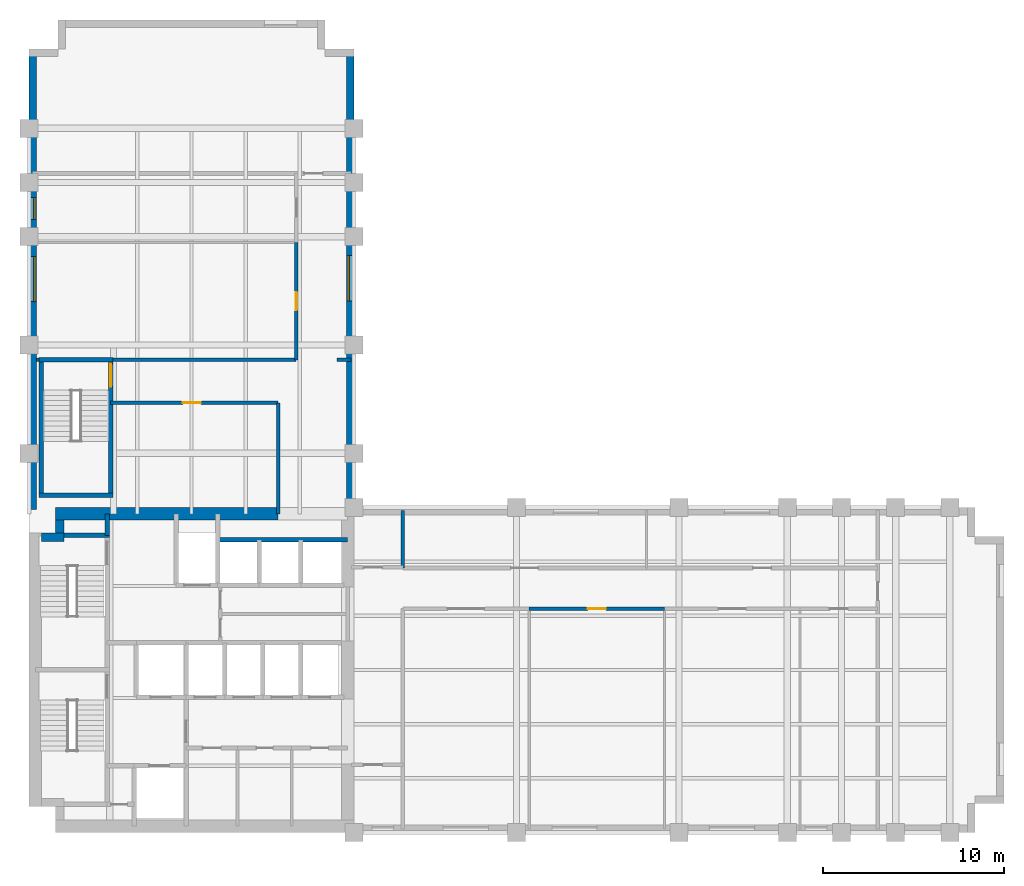
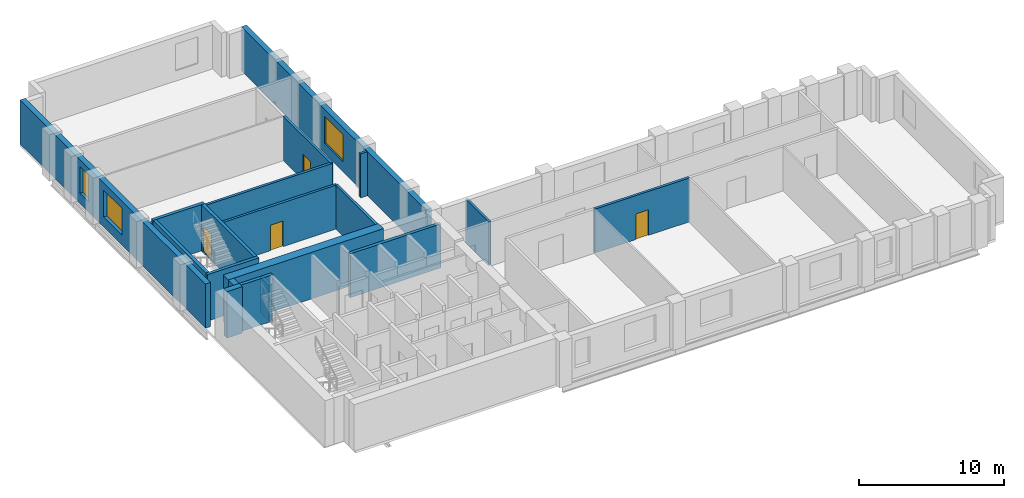
# One storey, part 4 of 7: 20 walls, 4 doors, 3 windows, 7 openings.
"""IFC4 building model written with IfcOpenShell, lengths in metres."""

from ifc_helpers import new_model, si_unit, direction, frame, frame_2d, origin, place, context, subcontext, project, spatial, rectangle, extrude, material, layer, layer_set, type_object, element, fill, save


model = new_model("IFC4")

# Units and contexts
model_context = context("Model", 3, precision=1e-05, world=origin(), true_north=direction((0.0, 1.0)))
body_context = subcontext(model_context, "Body", "Model", "MODEL_VIEW")
ifc_project = project(units=[si_unit("LENGTHUNIT", "METRE"), si_unit("AREAUNIT", "SQUARE_METRE"), si_unit("VOLUMEUNIT", "CUBIC_METRE"), si_unit("PLANEANGLEUNIT", "RADIAN"), si_unit("MASSUNIT", "GRAM", prefix="KILO")], contexts=[model_context])

# Site, building, storey
site_placement = place(None, origin())
site = spatial("IfcSite", under=ifc_project, at=site_placement, CompositionType="ELEMENT")
building_placement = place(site_placement, origin())
building = spatial("IfcBuilding", under=site, at=building_placement, Name="Mawjdan Bourse Tower", CompositionType="ELEMENT")
storey_placement = place(building_placement, frame((0.0, 0.0, 136.199951171875)))
storey = spatial("IfcBuildingStorey", under=building, at=storey_placement, Name="L32", CompositionType="ELEMENT", Elevation=136.199951171875)

# Wall, opening, window
ifc_material_1 = material(Name="Brick Masonry Buff", Category="masonry")
ifc_layer_1 = layer(ifc_material_1, 0.419921875)
ifc_layer_set_1 = layer_set([ifc_layer_1], Name="Brick Masonry Buff")
wall_type_1 = type_object("IfcWallType", Name="WL-BRK-BUFF-420", PredefinedType="STANDARD", material=ifc_layer_set_1)
wall_1_placement = place(storey_placement, frame((23.7900390625, 21.0, 0.0), z_axis=(0.0, 0.0, 1.0), x_axis=(0.0, 1.0, 0.0)))
wall_1 = element("IfcWall", 1, at=wall_1_placement, inside=storey, type_object=wall_type_1, Name="L32 Exterior Brick Wall 8", PredefinedType="STANDARD", context=body_context, shape_type="SweptSolid", body=[
    extrude(rectangle(XDim=25.39990234375, YDim=0.419921875, at=frame_2d((12.699951171875, 0.0))), origin(), (0.0, 0.0, 1.0), 3.699951171875),
])
opening_1_placement = place(wall_1_placement, frame((11.449951171875, 0.0, 0.85009765625)))
opening_1 = element("IfcOpeningElement", 2, at=opening_1_placement, cuts=wall_1, Name="Opening W-L32-05", PredefinedType="OPENING", context=body_context, shape_type="SweptSolid", body=[
    extrude(rectangle(XDim=2.5, YDim=2.25, at=frame_2d((1.25, 1.125))), frame((0.0, 0.219970703125, 0.0), z_axis=(0.0, -1.0, 0.0), x_axis=(1.0, 0.0, 0.0)), (0.0, 0.0, 1.0), 0.43994140625),
])
ifc_material_2 = material(Name="Solar-Control Clear Double Glazing", Category="glass")
window_type_1 = type_object("IfcWindowType", Name="WN-Z2-2500", PartitioningType="SINGLE_PANEL", PredefinedType="WINDOW", material=ifc_material_2)
window_1_placement = place(opening_1_placement, origin())
window_1 = element("IfcWindow", 3, at=window_1_placement, inside=storey, type_object=window_type_1, Name="L32 Deep-Set Masonry Window W-L32-05", OverallHeight=2.25, OverallWidth=2.5, PartitioningType="SINGLE_PANEL", PredefinedType="WINDOW", context=body_context, shape_type="SweptSolid", body=[
    extrude(rectangle(XDim=2.5, YDim=2.25, at=frame_2d((1.25, 1.125))), frame((0.0, 0.110107421875, 0.0), z_axis=(0.0, -1.0, 0.0), x_axis=(1.0, 0.0, 0.0)), (0.0, 0.0, 1.0), 0.06005859375),
])
fill(opening_1, window_1)

# Wall, openings, windows
wall_2_placement = place(storey_placement, frame((6.2099609375, 46.39990234375, 0.0), z_axis=(0.0, 0.0, 1.0), x_axis=(0.0, -1.0, 0.0)))
wall_2 = element("IfcWall", 4, at=wall_2_placement, inside=storey, type_object=wall_type_1, Name="L32 Exterior Brick Wall 14", PredefinedType="STANDARD", context=body_context, shape_type="SweptSolid", body=[
    extrude(rectangle(XDim=25.5, YDim=0.419921875, at=frame_2d((12.75, 0.0))), origin(), (0.0, 0.0, 1.0), 3.699951171875),
])
opening_2_placement = place(wall_2_placement, frame((11.5, 0.0, 0.85009765625)))
opening_2 = element("IfcOpeningElement", 5, at=opening_2_placement, cuts=wall_2, Name="Opening W-L32-07", PredefinedType="OPENING", context=body_context, shape_type="SweptSolid", body=[
    extrude(rectangle(XDim=2.5, YDim=2.25, at=frame_2d((1.25, 1.125))), frame((0.0, 0.219970703125, 0.0), z_axis=(0.0, -1.0, 0.0), x_axis=(1.0, 0.0, 0.0)), (0.0, 0.0, 1.0), 0.43994140625),
])
opening_3_placement = place(wall_2_placement, frame((8.236083984375, 0.0, 0.85009765625)))
opening_3 = element("IfcOpeningElement", 6, at=opening_3_placement, cuts=wall_2, Name="Opening W-L32-13", PredefinedType="OPENING", context=body_context, shape_type="SweptSolid", body=[
    extrude(rectangle(XDim=1.199951171875, YDim=2.25, at=frame_2d((0.60009765625, 1.125))), frame((0.0, 0.219970703125, 0.0), z_axis=(0.0, -1.0, 0.0), x_axis=(1.0, 0.0, 0.0)), (0.0, 0.0, 1.0), 0.43994140625),
])
window_type_2 = type_object("IfcWindowType", Name="WN-Z2-1200", PartitioningType="SINGLE_PANEL", PredefinedType="WINDOW", material=ifc_material_2)
window_2_placement = place(opening_3_placement, origin())
window_2 = element("IfcWindow", 7, at=window_2_placement, inside=storey, type_object=window_type_2, Name="L32 Deep-Set Masonry Window W-L32-13", OverallHeight=2.25, OverallWidth=1.199951171875, PartitioningType="SINGLE_PANEL", PredefinedType="WINDOW", context=body_context, shape_type="SweptSolid", body=[
    extrude(rectangle(XDim=1.199951171875, YDim=2.25, at=frame_2d((0.60009765625, 1.125))), frame((0.0, 0.110107421875, 0.0), z_axis=(0.0, -1.0, 0.0), x_axis=(1.0, 0.0, 0.0)), (0.0, 0.0, 1.0), 0.06005859375),
])
fill(opening_3, window_2)
window_3_placement = place(opening_2_placement, origin())
window_3 = element("IfcWindow", 8, at=window_3_placement, inside=storey, type_object=window_type_1, Name="L32 Deep-Set Masonry Window W-L32-07", OverallHeight=2.25, OverallWidth=2.5, PartitioningType="SINGLE_PANEL", PredefinedType="WINDOW", context=body_context, shape_type="SweptSolid", body=[
    extrude(rectangle(XDim=2.5, YDim=2.25, at=frame_2d((1.25, 1.125))), frame((0.0, 0.110107421875, 0.0), z_axis=(0.0, -1.0, 0.0), x_axis=(1.0, 0.0, 0.0)), (0.0, 0.0, 1.0), 0.06005859375),
])
fill(opening_2, window_3)

# Wall
ifc_material_3 = material(Name="Gypsum Fireboard Assembly")
ifc_layer_2 = layer(ifc_material_3, 0.199951171875)
ifc_layer_set_2 = layer_set([ifc_layer_2], Name="Gypsum Fireboard Assembly")
wall_type_2 = type_object("IfcWallType", Name="WL-CMP-200", PredefinedType="PARTITIONING", material=ifc_layer_set_2)
wall_3_placement = place(storey_placement, frame((26.699951171875, 17.64990234375, 0.0), z_axis=(0.0, 0.0, 1.0), x_axis=(0.0, 1.0, 0.0)))
element("IfcWall", 9, at=wall_3_placement, inside=storey, type_object=wall_type_2, Name="L32 Vestibule North East Wall", PredefinedType="PARTITIONING", context=body_context, shape_type="SweptSolid", body=[
    extrude(rectangle(XDim=3.170166015625, YDim=0.199951171875, at=frame_2d((1.5849609375, 0.0))), origin(), (0.0, 0.0, 1.0), 3.68994140625),
])

# Wall, opening, door
wall_4_placement = place(storey_placement, frame((33.699951171875, 15.39990234375, 0.0), z_axis=(0.0, 0.0, 1.0), x_axis=(1.0, 0.0, 0.0)))
wall_4 = element("IfcWall", 10, at=wall_4_placement, inside=storey, type_object=wall_type_2, Name="L32 Executive Office Corridor Wall", PredefinedType="PARTITIONING", context=body_context, shape_type="SweptSolid", body=[
    extrude(rectangle(XDim=7.5, YDim=0.199951171875, at=frame_2d((3.75, 0.0))), origin(), (0.0, 0.0, 1.0), 3.68994140625),
])
opening_4_placement = place(wall_4_placement, frame((3.25, 0.0, 0.0)))
opening_4 = element("IfcOpeningElement", 11, at=opening_4_placement, cuts=wall_4, Name="Opening D-L32-23", PredefinedType="OPENING", context=body_context, shape_type="SweptSolid", body=[
    extrude(rectangle(XDim=1.0, YDim=2.14990234375, at=frame_2d((0.5, 1.074951171875))), frame((0.0, 0.10986328125, 0.0), z_axis=(0.0, -1.0, 0.0), x_axis=(1.0, 0.0, 0.0)), (0.0, 0.0, 1.0), 0.219970703125),
])
ifc_material_4 = material(Name="Hardwood Acoustic Leaf", Category="wood")
door_type_1 = type_object("IfcDoorType", Name="DR-OFC-1000", OperationType="NOTDEFINED", PredefinedType="DOOR", material=ifc_material_4)
door_1_placement = place(opening_4_placement, origin())
door_1 = element("IfcDoor", 12, at=door_1_placement, inside=storey, type_object=door_type_1, Name="L32 Executive Office Door D-L32-23", OperationType="SINGLE_SWING_LEFT", OverallHeight=2.14990234375, OverallWidth=1.0, PredefinedType="DOOR", context=body_context, shape_type="SweptSolid", body=[
    extrude(rectangle(XDim=1.0, YDim=2.14990234375, at=frame_2d((0.5, 1.074951171875))), frame((0.0, 0.02490234375, 0.0), z_axis=(0.0, -1.0, 0.0), x_axis=(1.0, 0.0, 0.0)), (0.0, 0.0, 1.0), 0.050048828125),
])
fill(opening_4, door_1)

wall_5_placement = place(storey_placement, frame((10.52001953125, 26.800048828125, 0.0), z_axis=(0.0, 0.0, 1.0), x_axis=(1.0, 0.0, 0.0)))
wall_5 = element("IfcWall", 13, at=wall_5_placement, inside=storey, type_object=wall_type_2, Name="L32 North Throat North Wall", PredefinedType="PARTITIONING", context=body_context, shape_type="SweptSolid", body=[
    extrude(rectangle(XDim=9.280029296875, YDim=0.199951171875, at=frame_2d((4.64013671875, 0.0))), origin(), (0.0, 0.0, 1.0), 3.68994140625),
])
opening_5_placement = place(wall_5_placement, frame((4.0, 0.0, 0.0)))
opening_5 = element("IfcOpeningElement", 14, at=opening_5_placement, cuts=wall_5, Name="Opening D-L32-29", PredefinedType="OPENING", context=body_context, shape_type="SweptSolid", body=[
    extrude(rectangle(XDim=1.0, YDim=2.14990234375, at=frame_2d((0.5, 1.074951171875))), frame((0.0, 0.10986328125, 0.0), z_axis=(0.0, -1.0, 0.0), x_axis=(1.0, 0.0, 0.0)), (0.0, 0.0, 1.0), 0.219970703125),
])
door_2_placement = place(opening_5_placement, origin())
door_2 = element("IfcDoor", 15, at=door_2_placement, inside=storey, type_object=door_type_1, Name="L32 North Throat Suite Door D-L32-29", OperationType="SINGLE_SWING_LEFT", OverallHeight=2.14990234375, OverallWidth=1.0, PredefinedType="DOOR", context=body_context, shape_type="SweptSolid", body=[
    extrude(rectangle(XDim=1.0, YDim=2.14990234375, at=frame_2d((0.5, 1.074951171875))), frame((0.0, 0.02490234375, 0.0), z_axis=(0.0, -1.0, 0.0), x_axis=(1.0, 0.0, 0.0)), (0.0, 0.0, 1.0), 0.050048828125),
])
fill(opening_5, door_2)

# Walls
wall_6_placement = place(storey_placement, frame((19.800048828125, 20.64990234375, 0.0), z_axis=(0.0, 0.0, 1.0), x_axis=(0.0, 1.0, 0.0)))
element("IfcWall", 16, at=wall_6_placement, inside=storey, type_object=wall_type_2, Name="L32 North Throat East Wall", PredefinedType="PARTITIONING", context=body_context, shape_type="SweptSolid", body=[
    extrude(rectangle(XDim=6.150146484375, YDim=0.199951171875, at=frame_2d((3.0751953125, 0.0))), origin(), (0.0, 0.0, 1.0), 3.68994140625),
])
wall_7_placement = place(storey_placement, frame((6.419921875, 29.179931640625, 0.0), z_axis=(0.0, 0.0, 1.0), x_axis=(1.0, 0.0, 0.0)))
element("IfcWall", 17, at=wall_7_placement, inside=storey, type_object=wall_type_2, Name="L32 North West Band ST3 West Return", PredefinedType="PARTITIONING", context=body_context, shape_type="SweptSolid", body=[
    extrude(rectangle(XDim=0.135009765625, YDim=0.199951171875, at=frame_2d((0.0673828125, 0.0))), origin(), (0.0, 0.0, 1.0), 3.68994140625),
])
wall_8_placement = place(storey_placement, frame((10.6298828125, 29.179931640625, 0.0), z_axis=(0.0, 0.0, 1.0), x_axis=(1.0, 0.0, 0.0)))
element("IfcWall", 18, at=wall_8_placement, inside=storey, type_object=wall_type_2, Name="L32 North West Band South Wall", PredefinedType="PARTITIONING", context=body_context, shape_type="SweptSolid", body=[
    extrude(rectangle(XDim=10.170166015625, YDim=0.199951171875, at=frame_2d((5.0849609375, 0.0))), origin(), (0.0, 0.0, 1.0), 3.68994140625),
])
wall_9_placement = place(storey_placement, frame((23.050048828125, 29.179931640625, 0.0), z_axis=(0.0, 0.0, 1.0), x_axis=(1.0, 0.0, 0.0)))
element("IfcWall", 19, at=wall_9_placement, inside=storey, type_object=wall_type_2, Name="L32 North East Band South Wall", PredefinedType="PARTITIONING", context=body_context, shape_type="SweptSolid", body=[
    extrude(rectangle(XDim=0.77001953125, YDim=0.199951171875, at=frame_2d((0.385009765625, 0.0))), origin(), (0.0, 0.0, 1.0), 3.68994140625),
])

# Wall, opening, door
wall_10_placement = place(storey_placement, frame((20.800048828125, 29.179931640625, 0.0), z_axis=(0.0, 0.0, 1.0), x_axis=(0.0, 1.0, 0.0)))
wall_10 = element("IfcWall", 20, at=wall_10_placement, inside=storey, type_object=wall_type_2, Name="L32 Executive Office Corridor Wall", PredefinedType="PARTITIONING", context=body_context, shape_type="SweptSolid", body=[
    extrude(rectangle(XDim=6.5, YDim=0.199951171875, at=frame_2d((3.25, 0.0))), origin(), (0.0, 0.0, 1.0), 3.68994140625),
])
opening_6_placement = place(wall_10_placement, frame((2.75, 0.0, 0.0)))
opening_6 = element("IfcOpeningElement", 21, at=opening_6_placement, cuts=wall_10, Name="Opening D-L32-30", PredefinedType="OPENING", context=body_context, shape_type="SweptSolid", body=[
    extrude(rectangle(XDim=1.0, YDim=2.14990234375, at=frame_2d((0.5, 1.074951171875))), frame((0.0, 0.10986328125, 0.0), z_axis=(0.0, -1.0, 0.0), x_axis=(1.0, 0.0, 0.0)), (0.0, 0.0, 1.0), 0.219970703125),
])
door_3_placement = place(opening_6_placement, origin())
door_3 = element("IfcDoor", 22, at=door_3_placement, inside=storey, type_object=door_type_1, Name="L32 Executive Office Door D-L32-30", OperationType="SINGLE_SWING_RIGHT", OverallHeight=2.14990234375, OverallWidth=1.0, PredefinedType="DOOR", context=body_context, shape_type="SweptSolid", body=[
    extrude(rectangle(XDim=1.0, YDim=2.14990234375, at=frame_2d((0.5, 1.074951171875))), frame((0.0, 0.02490234375, 0.0), z_axis=(0.0, -1.0, 0.0), x_axis=(1.0, 0.0, 0.0)), (0.0, 0.0, 1.0), 0.050048828125),
])
fill(opening_6, door_3)

# Walls
ifc_material_5 = material(Name="Concrete C60/75", Category="concrete")
ifc_layer_3 = layer(ifc_material_5, 0.449951171875)
ifc_layer_set_3 = layer_set([ifc_layer_3], Name="Concrete C60/75")
wall_type_3 = type_object("IfcWallType", Name="WL-CORE-450", PredefinedType="SHEAR", material=ifc_layer_set_3)
wall_11_placement = place(storey_placement, frame((6.699951171875, 19.35009765625, 0.0), z_axis=(0.0, 0.0, 1.0), x_axis=(1.0, 0.0, 0.0)))
element("IfcWall", 23, at=wall_11_placement, inside=storey, type_object=wall_type_3, Name="L32 Rear Core Shear Wall NW-X", PredefinedType="SHEAR", context=body_context, shape_type="SweptSolid", body=[
    extrude(rectangle(XDim=1.22509765625, YDim=0.449951171875, at=frame_2d((0.612548828125, 0.0))), origin(), (0.0, 0.0, 1.0), 3.900146484375),
])
wall_12_placement = place(storey_placement, frame((7.699951171875, 19.574951171875, 0.0), z_axis=(0.0, 0.0, 1.0), x_axis=(0.0, 1.0, 0.0)))
element("IfcWall", 24, at=wall_12_placement, inside=storey, type_object=wall_type_3, Name="L32 Rear Core Shear Wall NW-Y", PredefinedType="SHEAR", context=body_context, shape_type="SweptSolid", body=[
    extrude(rectangle(XDim=0.72509765625, YDim=0.449951171875, at=frame_2d((0.362548828125, 0.0))), origin(), (0.0, 0.0, 1.0), 3.900146484375),
])
ifc_material_6 = material(Name="Concrete C70/85", Category="concrete")
ifc_layer_4 = layer(ifc_material_6, 0.699951171875)
ifc_layer_set_4 = layer_set([ifc_layer_4], Name="Concrete C70/85")
wall_type_4 = type_object("IfcWallType", Name="WL-CORE-700", PredefinedType="SHEAR", material=ifc_layer_set_4)
wall_13_placement = place(storey_placement, frame((7.47509765625, 20.64990234375, 0.0), z_axis=(0.0, 0.0, 1.0), x_axis=(1.0, 0.0, 0.0)))
element("IfcWall", 25, at=wall_13_placement, inside=storey, type_object=wall_type_4, Name="L32 Rear Core Shear Wall N", PredefinedType="SHEAR", context=body_context, shape_type="SweptSolid", body=[
    extrude(rectangle(XDim=12.324951171875, YDim=0.699951171875, at=frame_2d((6.16259765625, 0.0))), origin(), (0.0, 0.0, 1.0), 3.900146484375),
])
ifc_material_7 = material(Name="Concrete C50/60", Category="concrete")
ifc_layer_5 = layer(ifc_material_7, 0.25)
ifc_layer_set_5 = layer_set([ifc_layer_5], Name="Concrete C50/60")
wall_type_5 = type_object("IfcWallType", Name="WL-SHFT-250", PredefinedType="PARTITIONING", material=ifc_layer_set_5)
wall_14_placement = place(storey_placement, frame((10.330078125, 19.449951171875, 0.0), z_axis=(0.0, 0.0, 1.0), x_axis=(0.0, 1.0, 0.0)))
element("IfcWall", 26, at=wall_14_placement, inside=storey, type_object=wall_type_5, Name="L32 NW Riser East Wall", PredefinedType="PARTITIONING", context=body_context, shape_type="SweptSolid", body=[
    extrude(rectangle(XDim=1.199951171875, YDim=0.25, at=frame_2d((0.60009765625, 0.0))), origin(), (0.0, 0.0, 1.0), 2.994140625),
])
wall_15_placement = place(storey_placement, frame((16.449951171875, 19.199951171875, 0.0), z_axis=(0.0, 0.0, 1.0), x_axis=(1.0, 0.0, 0.0)))
element("IfcWall", 27, at=wall_15_placement, inside=storey, type_object=wall_type_5, Name="L32 PH Bank North Shaft Back Wall", PredefinedType="PARTITIONING", context=body_context, shape_type="SweptSolid", body=[
    extrude(rectangle(XDim=7.199951171875, YDim=0.25, at=frame_2d((3.60009765625, 0.0))), origin(), (0.0, 0.0, 1.0), 3.68994140625),
])
ifc_layer_6 = layer(ifc_material_7, 0.25)
ifc_layer_set_6 = layer_set([ifc_layer_6], Name="Concrete C50/60")
wall_type_6 = type_object("IfcWallType", Name="WL-STRW-250", PredefinedType="SHEAR", material=ifc_layer_set_6)
wall_16_placement = place(storey_placement, frame((7.699951171875, 19.449951171875, 0.0), z_axis=(0.0, 0.0, 1.0), x_axis=(1.0, 0.0, 0.0)))
element("IfcWall", 28, at=wall_16_placement, inside=storey, type_object=wall_type_6, Name="L32 Stairwell ST2 North Shaft Wall", PredefinedType="SHEAR", context=body_context, shape_type="SweptSolid", body=[
    extrude(rectangle(XDim=2.755126953125, YDim=0.25, at=frame_2d((1.37744140625, 0.0))), origin(), (0.0, 0.0, 1.0), 3.900146484375),
])
for number, where, z_axis, x_axis, name in (
    (29, (6.554931640625, 21.679931640625, 0.0), (0.0, 0.0, 1.0), (1.0, 0.0, 0.0), "L32 ST3 South Shaft Wall"),
    (30, (6.554931640625, 29.179931640625, 0.0), (0.0, 0.0, 1.0), (1.0, 0.0, 0.0), "L32 ST3 North Shaft Wall"),
):
    element("IfcWall", number, at=place(storey_placement, frame(where, z_axis=z_axis, x_axis=x_axis)), inside=storey, type_object=wall_type_6, Name=name, PredefinedType="SHEAR", context=body_context, shape_type="SweptSolid", body=[
        extrude(rectangle(XDim=4.090087890625, YDim=0.25, at=frame_2d((2.044921875, 0.0))), origin(), (0.0, 0.0, 1.0), 3.900146484375),
    ])
wall_17_placement = place(storey_placement, frame((6.679931640625, 21.679931640625, 0.0), z_axis=(0.0, 0.0, 1.0), x_axis=(0.0, 1.0, 0.0)))
element("IfcWall", 31, at=wall_17_placement, inside=storey, type_object=wall_type_6, Name="L32 ST3 West Shaft Wall", PredefinedType="SHEAR", context=body_context, shape_type="SweptSolid", body=[
    extrude(rectangle(XDim=7.5, YDim=0.25, at=frame_2d((3.75, 0.0))), origin(), (0.0, 0.0, 1.0), 3.900146484375),
])

# Wall, opening, door
wall_18_placement = place(storey_placement, frame((10.52001953125, 21.679931640625, 0.0), z_axis=(0.0, 0.0, 1.0), x_axis=(0.0, 1.0, 0.0)))
wall_18 = element("IfcWall", 32, at=wall_18_placement, inside=storey, type_object=wall_type_6, Name="L32 ST3 East Shaft Wall", PredefinedType="SHEAR", context=body_context, shape_type="SweptSolid", body=[
    extrude(rectangle(XDim=7.5, YDim=0.25, at=frame_2d((3.75, 0.0))), origin(), (0.0, 0.0, 1.0), 3.900146484375),
])
opening_7_placement = place(wall_18_placement, frame((6.02001953125, 0.0, 0.0)))
opening_7 = element("IfcOpeningElement", 33, at=opening_7_placement, cuts=wall_18, Name="Opening SD-L32-19", PredefinedType="OPENING", context=body_context, shape_type="SweptSolid", body=[
    extrude(rectangle(XDim=1.25, YDim=2.199951171875, at=frame_2d((0.625, 1.10009765625))), frame((0.0, 0.135009765625, 0.0), z_axis=(0.0, -1.0, 0.0), x_axis=(1.0, 0.0, 0.0)), (0.0, 0.0, 1.0), 0.27001953125),
])
ifc_material_8 = material(Name="Fire-Rated Steel Leaf", Category="steel")
door_type_2 = type_object("IfcDoorType", Name="FD-ST-1250", OperationType="NOTDEFINED", PredefinedType="DOOR", material=ifc_material_8)
door_4_placement = place(opening_7_placement, origin())
door_4 = element("IfcDoor", 34, at=door_4_placement, inside=storey, type_object=door_type_2, Name="L32 Stair ST3 Fire Door SD-L32-19", OperationType="SINGLE_SWING_RIGHT", OverallHeight=2.199951171875, OverallWidth=1.25, PredefinedType="DOOR", context=body_context, shape_type="SweptSolid", body=[
    extrude(rectangle(XDim=1.25, YDim=2.199951171875, at=frame_2d((0.625, 1.10009765625))), frame((0.0, 0.02490234375, 0.0), z_axis=(0.0, -1.0, 0.0), x_axis=(1.0, 0.0, 0.0)), (0.0, 0.0, 1.0), 0.050048828125),
])
fill(opening_7, door_4)

save(model, "model.ifc")
